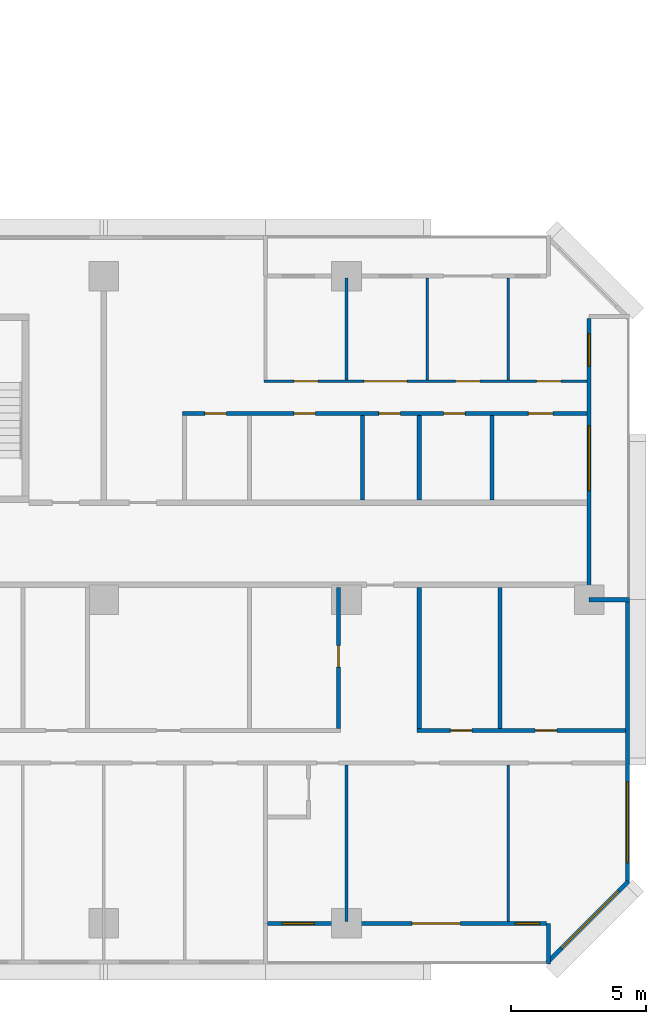
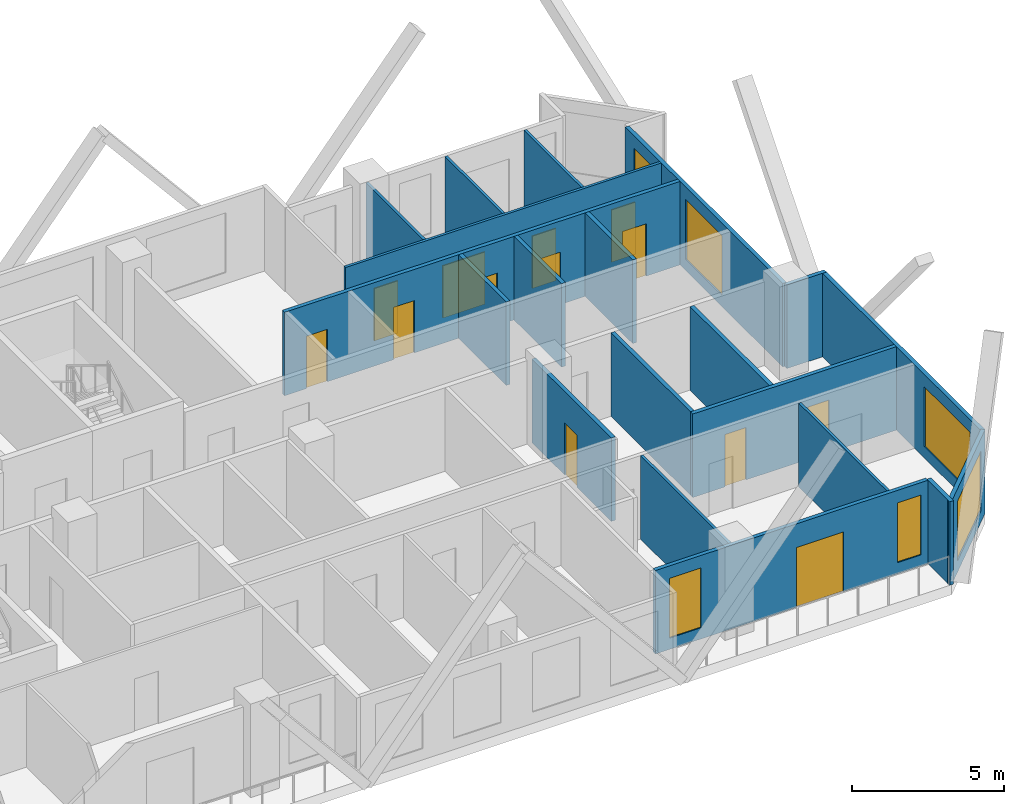
# One storey, part 12 of 16: 20 walls, 13 doors, 6 windows, 19 openings.
"""IFC4 building model written with IfcOpenShell, lengths in metres."""

from ifc_helpers import new_model, si_unit, direction, frame, frame_2d, origin, place, context, subcontext, project, spatial, rectangle, extrude, material, layer, layer_set, type_object, element, fill, save


model = new_model("IFC4")

# Units and contexts
model_context = context("Model", 3, precision=1e-05, world=origin(), true_north=direction((0.0, 1.0)))
body_context = subcontext(model_context, "Body", "Model", "MODEL_VIEW")
ifc_project = project(units=[si_unit("LENGTHUNIT", "METRE"), si_unit("AREAUNIT", "SQUARE_METRE"), si_unit("VOLUMEUNIT", "CUBIC_METRE"), si_unit("PLANEANGLEUNIT", "RADIAN"), si_unit("MASSUNIT", "GRAM", prefix="KILO")], contexts=[model_context])

# Site, building, storey
site_placement = place(None, origin())
site = spatial("IfcSite", under=ifc_project, at=site_placement, CompositionType="ELEMENT")
building_placement = place(site_placement, origin())
building = spatial("IfcBuilding", under=site, at=building_placement, Name="Chenar Terraces", CompositionType="ELEMENT")
storey_placement = place(building_placement, frame((0.0, 0.0, 71.39990234375)))
storey = spatial("IfcBuildingStorey", under=building, at=storey_placement, Name="L15", CompositionType="ELEMENT", Elevation=71.39990234375)

# Wall, opening, window
ifc_material_1 = material(Name="Aluminium framed glazing", Category="aluminium")
ifc_layer_1 = layer(ifc_material_1, 0.14990234375)
ifc_layer_set_1 = layer_set([ifc_layer_1], Name="Aluminium framed glazing")
wall_type_1 = type_object("IfcWallType", Name="Glazed flush facade wall 150", PredefinedType="SOLIDWALL", material=ifc_layer_set_1)
wall_1_placement = place(storey_placement, frame((73.425048828125, 1.5, 0.0), z_axis=(0.0, 0.0, 1.0), x_axis=(0.0, 1.0, 0.0)))
wall_1 = element("IfcWall", 1, at=wall_1_placement, inside=storey, type_object=wall_type_1, Name="Glazed flush facade wall", PredefinedType="SOLIDWALL", context=body_context, shape_type="SweptSolid", body=[
    extrude(rectangle(XDim=10.425048828125, YDim=0.14990234375, at=frame_2d((5.21240234375, 0.0))), origin(), (0.0, 0.0, 1.0), 3.35009765625),
])
opening_1_placement = place(wall_1_placement, frame((0.75, 0.0, 0.449951171875)))
opening_1 = element("IfcOpeningElement", 2, at=opening_1_placement, cuts=wall_1, Name="Opening W300x240", PredefinedType="OPENING", context=body_context, shape_type="SweptSolid", body=[
    extrude(rectangle(XDim=3.0, YDim=2.39990234375, at=frame_2d((1.5, 1.199951171875))), frame((0.0, 0.0849609375, 0.0), z_axis=(0.0, -1.0, 0.0), x_axis=(1.0, 0.0, 0.0)), (0.0, 0.0, 1.0), 0.169921875),
])
ifc_material_2 = material(Name="Low emissivity double glazing, aluminium frame", Category="aluminium")
window_type_1 = type_object("IfcWindowType", Name="Fixed light 3000 x 2400", PartitioningType="SINGLE_PANEL", PredefinedType="WINDOW", material=ifc_material_2)
window_1_placement = place(opening_1_placement, origin())
window_1 = element("IfcWindow", 3, at=window_1_placement, inside=storey, type_object=window_type_1, Name="Window", OverallHeight=2.39990234375, OverallWidth=3.0, PartitioningType="SINGLE_PANEL", PredefinedType="WINDOW", context=body_context, shape_type="SweptSolid", body=[
    extrude(rectangle(XDim=3.0, YDim=2.39990234375, at=frame_2d((1.5, 1.199951171875))), frame((0.0, 0.030029296875, 0.0), z_axis=(0.0, -1.0, 0.0), x_axis=(1.0, 0.0, 0.0)), (0.0, 0.0, 1.0), 0.06005859375),
])
fill(opening_1, window_1)

# Wall, openings, windows, door
ifc_material_3 = material(Name="Aluminium framed glazing", Category="aluminium")
ifc_layer_2 = layer(ifc_material_3, 0.14990234375)
ifc_layer_set_2 = layer_set([ifc_layer_2], Name="Aluminium framed glazing")
wall_type_2 = type_object("IfcWallType", Name="Glazed loggia back wall 150", PredefinedType="SOLIDWALL", material=ifc_layer_set_2)
wall_2_placement = place(storey_placement, frame((60.074951171875, 0.0, 0.0), z_axis=(0.0, 0.0, 1.0), x_axis=(1.0, 0.0, 0.0)))
wall_2 = element("IfcWall", 4, at=wall_2_placement, inside=storey, type_object=wall_type_2, Name="Glazed loggia back wall", PredefinedType="SOLIDWALL", context=body_context, shape_type="SweptSolid", body=[
    extrude(rectangle(XDim=10.35009765625, YDim=0.14990234375, at=frame_2d((5.175048828125, 0.0))), origin(), (0.0, 0.0, 1.0), 3.35009765625),
])
opening_2_placement = place(wall_2_placement, frame((0.53759765625, 0.0, 0.449951171875)))
opening_2 = element("IfcOpeningElement", 5, at=opening_2_placement, cuts=wall_2, Name="Opening W120x240", PredefinedType="OPENING", context=body_context, shape_type="SweptSolid", body=[
    extrude(rectangle(XDim=1.199951171875, YDim=2.39990234375, at=frame_2d((0.60009765625, 1.199951171875))), frame((0.0, 0.0849609375, 0.0), z_axis=(0.0, -1.0, 0.0), x_axis=(1.0, 0.0, 0.0)), (0.0, 0.0, 1.0), 0.169921875),
])
opening_3_placement = place(wall_2_placement, frame((5.35009765625, 0.0, 0.0)))
opening_3 = element("IfcOpeningElement", 6, at=opening_3_placement, cuts=wall_2, Name="Opening DL15-G7", PredefinedType="OPENING", context=body_context, shape_type="SweptSolid", body=[
    extrude(rectangle(XDim=1.800048828125, YDim=2.39990234375, at=frame_2d((0.89990234375, 1.199951171875))), frame((0.0, 0.0849609375, 0.0), z_axis=(0.0, -1.0, 0.0), x_axis=(1.0, 0.0, 0.0)), (0.0, 0.0, 1.0), 0.169921875),
])
opening_4_placement = place(wall_2_placement, frame((9.1875, 0.0, 0.449951171875)))
opening_4 = element("IfcOpeningElement", 7, at=opening_4_placement, cuts=wall_2, Name="Opening W90x240", PredefinedType="OPENING", context=body_context, shape_type="SweptSolid", body=[
    extrude(rectangle(XDim=0.89990234375, YDim=2.39990234375, at=frame_2d((0.449951171875, 1.199951171875))), frame((0.0, 0.0849609375, 0.0), z_axis=(0.0, -1.0, 0.0), x_axis=(1.0, 0.0, 0.0)), (0.0, 0.0, 1.0), 0.169921875),
])
ifc_material_4 = material(Name="Low emissivity double glazing, aluminium frame", Category="aluminium")
window_type_2 = type_object("IfcWindowType", Name="Fixed light 1200 x 2400", PartitioningType="SINGLE_PANEL", PredefinedType="WINDOW", material=ifc_material_4)
window_2_placement = place(opening_2_placement, origin())
window_2 = element("IfcWindow", 8, at=window_2_placement, inside=storey, type_object=window_type_2, Name="Window", OverallHeight=2.39990234375, OverallWidth=1.199951171875, PartitioningType="SINGLE_PANEL", PredefinedType="WINDOW", context=body_context, shape_type="SweptSolid", body=[
    extrude(rectangle(XDim=1.199951171875, YDim=2.39990234375, at=frame_2d((0.60009765625, 1.199951171875))), frame((0.0, 0.030029296875, 0.0), z_axis=(0.0, -1.0, 0.0), x_axis=(1.0, 0.0, 0.0)), (0.0, 0.0, 1.0), 0.06005859375),
])
fill(opening_2, window_2)
ifc_material_5 = material(Name="Low emissivity double glazing, aluminium frame", Category="aluminium")
window_type_3 = type_object("IfcWindowType", Name="Fixed light 900 x 2400", PartitioningType="SINGLE_PANEL", PredefinedType="WINDOW", material=ifc_material_5)
window_3_placement = place(opening_4_placement, origin())
window_3 = element("IfcWindow", 9, at=window_3_placement, inside=storey, type_object=window_type_3, Name="Window", OverallHeight=2.39990234375, OverallWidth=0.89990234375, PartitioningType="SINGLE_PANEL", PredefinedType="WINDOW", context=body_context, shape_type="SweptSolid", body=[
    extrude(rectangle(XDim=0.89990234375, YDim=2.39990234375, at=frame_2d((0.449951171875, 1.199951171875))), frame((0.0, 0.030029296875, 0.0), z_axis=(0.0, -1.0, 0.0), x_axis=(1.0, 0.0, 0.0)), (0.0, 0.0, 1.0), 0.06005859375),
])
fill(opening_4, window_3)
ifc_material_6 = material(Name="Low emissivity double glazing, aluminium frame", Category="aluminium")
door_type_1 = type_object("IfcDoorType", Name="Loggia glazed double door 1800 x 2400", OperationType="DOUBLE_DOOR_SINGLE_SWING", PredefinedType="DOOR", material=ifc_material_6)
door_1_placement = place(opening_3_placement, frame((1.800048828125, 0.0, 0.0), z_axis=(0.0, 0.0, 1.0), x_axis=(-1.0, 0.0, 0.0)))
door_1 = element("IfcDoor", 10, at=door_1_placement, inside=storey, type_object=door_type_1, Name="Loggia glazed door", OperationType="DOUBLE_DOOR_SINGLE_SWING", OverallHeight=2.39990234375, OverallWidth=1.800048828125, PredefinedType="DOOR", context=body_context, shape_type="SweptSolid", body=[
    extrude(rectangle(XDim=1.800048828125, YDim=2.39990234375, at=frame_2d((0.89990234375, 1.199951171875))), frame((0.0, 0.02490234375, 0.0), z_axis=(0.0, -1.0, 0.0), x_axis=(1.0, 0.0, 0.0)), (0.0, 0.0, 1.0), 0.050048828125),
])
fill(opening_3, door_1)

# Wall, openings, windows
wall_3_placement = place(storey_placement, frame((72.0, 12.074951171875, 0.0), z_axis=(0.0, 0.0, 1.0), x_axis=(0.0, 1.0, 0.0)))
wall_3 = element("IfcWall", 11, at=wall_3_placement, inside=storey, type_object=wall_type_2, Name="Glazed loggia back wall", PredefinedType="SOLIDWALL", context=body_context, shape_type="SweptSolid", body=[
    extrude(rectangle(XDim=10.35009765625, YDim=0.14990234375, at=frame_2d((5.175048828125, 0.0))), origin(), (0.0, 0.0, 1.0), 3.35009765625),
])
opening_5_placement = place(wall_3_placement, frame((3.97509765625, 0.0, 0.449951171875)))
opening_5 = element("IfcOpeningElement", 12, at=opening_5_placement, cuts=wall_3, Name="Opening W240x240", PredefinedType="OPENING", context=body_context, shape_type="SweptSolid", body=[
    extrude(rectangle(XDim=2.39990234375, YDim=2.39990234375, at=frame_2d((1.199951171875, 1.199951171875))), frame((0.0, 0.0849609375, 0.0), z_axis=(0.0, -1.0, 0.0), x_axis=(1.0, 0.0, 0.0)), (0.0, 0.0, 1.0), 0.169921875),
])
opening_6_placement = place(wall_3_placement, frame((8.58740234375, 0.0, 0.449951171875)))
opening_6 = element("IfcOpeningElement", 13, at=opening_6_placement, cuts=wall_3, Name="Opening W120x240", PredefinedType="OPENING", context=body_context, shape_type="SweptSolid", body=[
    extrude(rectangle(XDim=1.199951171875, YDim=2.39990234375, at=frame_2d((0.60009765625, 1.199951171875))), frame((0.0, 0.0849609375, 0.0), z_axis=(0.0, -1.0, 0.0), x_axis=(1.0, 0.0, 0.0)), (0.0, 0.0, 1.0), 0.169921875),
])
window_4_placement = place(opening_6_placement, origin())
window_4 = element("IfcWindow", 14, at=window_4_placement, inside=storey, type_object=window_type_2, Name="Window", OverallHeight=2.39990234375, OverallWidth=1.199951171875, PartitioningType="SINGLE_PANEL", PredefinedType="WINDOW", context=body_context, shape_type="SweptSolid", body=[
    extrude(rectangle(XDim=1.199951171875, YDim=2.39990234375, at=frame_2d((0.60009765625, 1.199951171875))), frame((0.0, 0.030029296875, 0.0), z_axis=(0.0, -1.0, 0.0), x_axis=(1.0, 0.0, 0.0)), (0.0, 0.0, 1.0), 0.06005859375),
])
fill(opening_6, window_4)
ifc_material_7 = material(Name="Low emissivity double glazing, aluminium frame", Category="aluminium")
window_type_4 = type_object("IfcWindowType", Name="Fixed light 2400 x 2400", PartitioningType="SINGLE_PANEL", PredefinedType="WINDOW", material=ifc_material_7)
window_5_placement = place(opening_5_placement, origin())
window_5 = element("IfcWindow", 15, at=window_5_placement, inside=storey, type_object=window_type_4, Name="Window", OverallHeight=2.39990234375, OverallWidth=2.39990234375, PartitioningType="SINGLE_PANEL", PredefinedType="WINDOW", context=body_context, shape_type="SweptSolid", body=[
    extrude(rectangle(XDim=2.39990234375, YDim=2.39990234375, at=frame_2d((1.199951171875, 1.199951171875))), frame((0.0, 0.030029296875, 0.0), z_axis=(0.0, -1.0, 0.0), x_axis=(1.0, 0.0, 0.0)), (0.0, 0.0, 1.0), 0.06005859375),
])
fill(opening_5, window_5)

# Wall, openings, doors
ifc_material_8 = material(Name="Gypsum board on steel studs", Category="steel")
ifc_layer_3 = layer(ifc_material_8, 0.10009765625)
ifc_layer_set_3 = layer_set([ifc_layer_3], Name="Gypsum board on steel studs")
wall_type_3 = type_object("IfcWallType", Name="Gypsum partition 100", PredefinedType="PARTITIONING", material=ifc_layer_set_3)
wall_4_placement = place(storey_placement, frame((59.949951171875, 20.10009765625, 0.0), z_axis=(0.0, 0.0, 1.0), x_axis=(1.0, 0.0, 0.0)))
wall_4 = element("IfcWall", 16, at=wall_4_placement, inside=storey, type_object=wall_type_3, Name="Partition L15-088", PredefinedType="PARTITIONING", context=body_context, shape_type="SweptSolid", body=[
    extrude(rectangle(XDim=11.97607421875, YDim=0.10009765625, at=frame_2d((5.988037109375, 0.0))), origin(), (0.0, 0.0, 1.0), 3.35009765625),
])
opening_7_placement = place(wall_4_placement, frame((1.10009765625, 0.0, 0.0)))
opening_7 = element("IfcOpeningElement", 17, at=opening_7_placement, cuts=wall_4, Name="Opening DL15-5", PredefinedType="OPENING", context=body_context, shape_type="SweptSolid", body=[
    extrude(rectangle(XDim=0.89990234375, YDim=2.10009765625, at=frame_2d((0.449951171875, 1.050048828125))), frame((0.0, 0.06005859375, 0.0), z_axis=(0.0, -1.0, 0.0), x_axis=(1.0, 0.0, 0.0)), (0.0, 0.0, 1.0), 0.1201171875),
])
opening_8_placement = place(wall_4_placement, frame((7.10009765625, 0.0, 0.0)))
opening_8 = element("IfcOpeningElement", 18, at=opening_8_placement, cuts=wall_4, Name="Opening DL15-6", PredefinedType="OPENING", context=body_context, shape_type="SweptSolid", body=[
    extrude(rectangle(XDim=0.89990234375, YDim=2.10009765625, at=frame_2d((0.449951171875, 1.050048828125))), frame((0.0, 0.06005859375, 0.0), z_axis=(0.0, -1.0, 0.0), x_axis=(1.0, 0.0, 0.0)), (0.0, 0.0, 1.0), 0.1201171875),
])
opening_9_placement = place(wall_4_placement, frame((10.10009765625, 0.0, 0.0)))
opening_9 = element("IfcOpeningElement", 19, at=opening_9_placement, cuts=wall_4, Name="Opening DL15-7", PredefinedType="OPENING", context=body_context, shape_type="SweptSolid", body=[
    extrude(rectangle(XDim=0.89990234375, YDim=2.10009765625, at=frame_2d((0.449951171875, 1.050048828125))), frame((0.0, 0.06005859375, 0.0), z_axis=(0.0, -1.0, 0.0), x_axis=(1.0, 0.0, 0.0)), (0.0, 0.0, 1.0), 0.1201171875),
])
opening_10_placement = place(wall_4_placement, frame((3.699951171875, 0.0, 0.0)))
opening_10 = element("IfcOpeningElement", 20, at=opening_10_placement, cuts=wall_4, Name="Opening DL15-11", PredefinedType="OPENING", context=body_context, shape_type="SweptSolid", body=[
    extrude(rectangle(XDim=1.60009765625, YDim=2.10009765625, at=frame_2d((0.800048828125, 1.050048828125))), frame((0.0, 0.06005859375, 0.0), z_axis=(0.0, -1.0, 0.0), x_axis=(1.0, 0.0, 0.0)), (0.0, 0.0, 1.0), 0.1201171875),
])
ifc_material_9 = material(Name="Veneered timber door leaf", Category="wood")
door_type_2 = type_object("IfcDoorType", Name="Door 900 x 2100", OperationType="SINGLE_SWING_LEFT", PredefinedType="DOOR", material=ifc_material_9)
door_2_placement = place(opening_7_placement, origin())
door_2 = element("IfcDoor", 21, at=door_2_placement, inside=storey, type_object=door_type_2, Name="Door DL15-5", OperationType="SINGLE_SWING_LEFT", OverallHeight=2.10009765625, OverallWidth=0.89990234375, PredefinedType="DOOR", context=body_context, shape_type="SweptSolid", body=[
    extrude(rectangle(XDim=0.89990234375, YDim=2.10009765625, at=frame_2d((0.449951171875, 1.050048828125))), frame((0.0, 0.02490234375, 0.0), z_axis=(0.0, -1.0, 0.0), x_axis=(1.0, 0.0, 0.0)), (0.0, 0.0, 1.0), 0.050048828125),
])
fill(opening_7, door_2)
door_3_placement = place(opening_8_placement, origin())
door_3 = element("IfcDoor", 22, at=door_3_placement, inside=storey, type_object=door_type_2, Name="Door DL15-6", OperationType="SINGLE_SWING_LEFT", OverallHeight=2.10009765625, OverallWidth=0.89990234375, PredefinedType="DOOR", context=body_context, shape_type="SweptSolid", body=[
    extrude(rectangle(XDim=0.89990234375, YDim=2.10009765625, at=frame_2d((0.449951171875, 1.050048828125))), frame((0.0, 0.02490234375, 0.0), z_axis=(0.0, -1.0, 0.0), x_axis=(1.0, 0.0, 0.0)), (0.0, 0.0, 1.0), 0.050048828125),
])
fill(opening_8, door_3)
door_4_placement = place(opening_9_placement, origin())
door_4 = element("IfcDoor", 23, at=door_4_placement, inside=storey, type_object=door_type_2, Name="Door DL15-7", OperationType="SINGLE_SWING_LEFT", OverallHeight=2.10009765625, OverallWidth=0.89990234375, PredefinedType="DOOR", context=body_context, shape_type="SweptSolid", body=[
    extrude(rectangle(XDim=0.89990234375, YDim=2.10009765625, at=frame_2d((0.449951171875, 1.050048828125))), frame((0.0, 0.02490234375, 0.0), z_axis=(0.0, -1.0, 0.0), x_axis=(1.0, 0.0, 0.0)), (0.0, 0.0, 1.0), 0.050048828125),
])
fill(opening_9, door_4)
ifc_material_10 = material(Name="Veneered timber door leaf", Category="wood")
door_type_3 = type_object("IfcDoorType", Name="Double door 1600 x 2100", OperationType="DOUBLE_DOOR_SINGLE_SWING", PredefinedType="DOOR", material=ifc_material_10)
door_5_placement = place(opening_10_placement, origin())
door_5 = element("IfcDoor", 24, at=door_5_placement, inside=storey, type_object=door_type_3, Name="Door DL15-11", OperationType="DOUBLE_DOOR_SINGLE_SWING", OverallHeight=2.10009765625, OverallWidth=1.60009765625, PredefinedType="DOOR", context=body_context, shape_type="SweptSolid", body=[
    extrude(rectangle(XDim=1.60009765625, YDim=2.10009765625, at=frame_2d((0.800048828125, 1.050048828125))), frame((0.0, 0.02490234375, 0.0), z_axis=(0.0, -1.0, 0.0), x_axis=(1.0, 0.0, 0.0)), (0.0, 0.0, 1.0), 0.050048828125),
])
fill(opening_10, door_5)

# Walls
wall_5_placement = place(storey_placement, frame((63.0, 0.073974609375, 0.0), z_axis=(0.0, 0.0, 1.0), x_axis=(0.0, 1.0, 0.0)))
element("IfcWall", 25, at=wall_5_placement, inside=storey, type_object=wall_type_3, Name="Partition L15-094", PredefinedType="PARTITIONING", context=body_context, shape_type="SweptSolid", body=[
    extrude(rectangle(XDim=5.801025390625, YDim=0.10009765625, at=frame_2d((2.900390625, 0.0))), origin(), (0.0, 0.0, 1.0), 3.35009765625),
])
for number, where, z_axis, x_axis, name in (
    (26, (63.0, 20.14990234375, 0.0), (0.0, 0.0, 1.0), (0.0, 1.0, 0.0), "Partition L15-095"),
    (27, (66.0, 20.14990234375, 0.0), (0.0, 0.0, 1.0), (0.0, 1.0, 0.0), "Partition L15-100"),
):
    element("IfcWall", number, at=place(storey_placement, frame(where, z_axis=z_axis, x_axis=x_axis)), inside=storey, type_object=wall_type_3, Name=name, PredefinedType="PARTITIONING", context=body_context, shape_type="SweptSolid", body=[
        extrude(rectangle(XDim=3.776123046875, YDim=0.10009765625, at=frame_2d((1.88818359375, 0.0))), origin(), (0.0, 0.0, 1.0), 3.35009765625),
    ])
wall_6_placement = place(storey_placement, frame((69.0, 0.073974609375, 0.0), z_axis=(0.0, 0.0, 1.0), x_axis=(0.0, 1.0, 0.0)))
element("IfcWall", 28, at=wall_6_placement, inside=storey, type_object=wall_type_3, Name="Partition L15-103", PredefinedType="PARTITIONING", context=body_context, shape_type="SweptSolid", body=[
    extrude(rectangle(XDim=5.801025390625, YDim=0.10009765625, at=frame_2d((2.900390625, 0.0))), origin(), (0.0, 0.0, 1.0), 3.35009765625),
])
wall_7_placement = place(storey_placement, frame((69.0, 20.14990234375, 0.0), z_axis=(0.0, 0.0, 1.0), x_axis=(0.0, 1.0, 0.0)))
element("IfcWall", 29, at=wall_7_placement, inside=storey, type_object=wall_type_3, Name="Partition L15-104", PredefinedType="PARTITIONING", context=body_context, shape_type="SweptSolid", body=[
    extrude(rectangle(XDim=3.776123046875, YDim=0.10009765625, at=frame_2d((1.88818359375, 0.0))), origin(), (0.0, 0.0, 1.0), 3.35009765625),
])
ifc_material_11 = material(Name="Terracotta cladding on insulated backing", Category="masonry")
ifc_layer_4 = layer(ifc_material_11, 0.14990234375)
ifc_layer_set_4 = layer_set([ifc_layer_4], Name="Terracotta cladding on insulated backing")
wall_type_4 = type_object("IfcWallType", Name="Loggia return wall 150", PredefinedType="SOLIDWALL", material=ifc_layer_set_4)
for number, where, z_axis, x_axis, name in (
    (30, (70.5, -1.5, 0.0), (0.0, 0.0, 1.0), (0.0, 1.0, 0.0), "Loggia return wall"),
    (31, (73.5, 12.0, 0.0), (0.0, 0.0, 1.0), (-1.0, 0.0, 0.0), "Loggia return wall"),
):
    element("IfcWall", number, at=place(storey_placement, frame(where, z_axis=z_axis, x_axis=x_axis)), inside=storey, type_object=wall_type_4, Name=name, PredefinedType="SOLIDWALL", context=body_context, shape_type="SweptSolid", body=[
        extrude(rectangle(XDim=1.5, YDim=0.14990234375, at=frame_2d((0.75, 0.0))), origin(), (0.0, 0.0, 1.0), 3.35009765625),
    ])

# Wall, opening, window
ifc_material_12 = material(Name="Terracotta cladding on insulated backing", Category="masonry")
ifc_layer_5 = layer(ifc_material_12, 0.14990234375)
ifc_layer_set_5 = layer_set([ifc_layer_5], Name="Terracotta cladding on insulated backing")
wall_type_5 = type_object("IfcWallType", Name="Terracotta rainscreen wall 150", PredefinedType="SOLIDWALL", material=ifc_layer_set_5)
wall_8_placement = place(storey_placement, frame((70.447021484375, -1.447021484375, 0.0), z_axis=(0.0, 0.0, 1.0), x_axis=(0.707106781187, 0.707106781187, 0.0)))
wall_8 = element("IfcWall", 32, at=wall_8_placement, inside=storey, type_object=wall_type_5, Name="Terracotta rainscreen wall", PredefinedType="SOLIDWALL", context=body_context, shape_type="SweptSolid", body=[
    extrude(rectangle(XDim=4.24267578125, YDim=0.14990234375, at=frame_2d((2.121337890625, 0.0))), origin(), (0.0, 0.0, 1.0), 3.35009765625),
])
opening_11_placement = place(wall_8_placement, frame((0.744384765625, 0.0, 0.449951171875)))
opening_11 = element("IfcOpeningElement", 33, at=opening_11_placement, cuts=wall_8, Name="Opening W300x240", PredefinedType="OPENING", context=body_context, shape_type="SweptSolid", body=[
    extrude(rectangle(XDim=3.0, YDim=2.39990234375, at=frame_2d((1.5, 1.199951171875))), frame((0.0, 0.0849609375, 0.0), z_axis=(0.0, -1.0, 0.0), x_axis=(1.0, 0.0, 0.0)), (0.0, 0.0, 1.0), 0.169921875),
])
window_6_placement = place(opening_11_placement, origin())
window_6 = element("IfcWindow", 34, at=window_6_placement, inside=storey, type_object=window_type_1, Name="Window", OverallHeight=2.39990234375, OverallWidth=3.0, PartitioningType="SINGLE_PANEL", PredefinedType="WINDOW", context=body_context, shape_type="SweptSolid", body=[
    extrude(rectangle(XDim=3.0, YDim=2.39990234375, at=frame_2d((1.5, 1.199951171875))), frame((0.0, 0.030029296875, 0.0), z_axis=(0.0, -1.0, 0.0), x_axis=(1.0, 0.0, 0.0)), (0.0, 0.0, 1.0), 0.06005859375),
])
fill(opening_11, window_6)

# Wall, openings, doors
ifc_material_13 = material(Name="Moisture-resistant gypsum board on steel studs", Category="steel")
ifc_layer_6 = layer(ifc_material_13, 0.14990234375)
ifc_layer_set_6 = layer_set([ifc_layer_6], Name="Moisture-resistant gypsum board on steel studs")
wall_type_6 = type_object("IfcWallType", Name="Wet-room partition 150", PredefinedType="PARTITIONING", material=ifc_layer_set_6)
wall_9_placement = place(storey_placement, frame((56.925048828125, 18.89990234375, 0.0), z_axis=(0.0, 0.0, 1.0), x_axis=(1.0, 0.0, 0.0)))
wall_9 = element("IfcWall", 35, at=wall_9_placement, inside=storey, type_object=wall_type_6, Name="Partition L15-083", PredefinedType="PARTITIONING", context=body_context, shape_type="SweptSolid", body=[
    extrude(rectangle(XDim=15.0009765625, YDim=0.14990234375, at=frame_2d((7.50048828125, 0.0))), origin(), (0.0, 0.0, 1.0), 3.35009765625),
])
opening_12_placement = place(wall_9_placement, frame((4.125, 0.0, 0.0)))
opening_12 = element("IfcOpeningElement", 36, at=opening_12_placement, cuts=wall_9, Name="Opening DL15-4", PredefinedType="OPENING", context=body_context, shape_type="SweptSolid", body=[
    extrude(rectangle(XDim=0.800048828125, YDim=2.10009765625, at=frame_2d((0.39990234375, 1.050048828125))), frame((0.0, 0.0849609375, 0.0), z_axis=(0.0, -1.0, 0.0), x_axis=(1.0, 0.0, 0.0)), (0.0, 0.0, 1.0), 0.169921875),
])
opening_13_placement = place(wall_9_placement, frame((12.824951171875, 0.0, 0.0)))
opening_13 = element("IfcOpeningElement", 37, at=opening_13_placement, cuts=wall_9, Name="Opening DL15-8", PredefinedType="OPENING", context=body_context, shape_type="SweptSolid", body=[
    extrude(rectangle(XDim=0.89990234375, YDim=2.10009765625, at=frame_2d((0.449951171875, 1.050048828125))), frame((0.0, 0.0849609375, 0.0), z_axis=(0.0, -1.0, 0.0), x_axis=(1.0, 0.0, 0.0)), (0.0, 0.0, 1.0), 0.169921875),
])
opening_14_placement = place(wall_9_placement, frame((9.675048828125, 0.0, 0.0)))
opening_14 = element("IfcOpeningElement", 38, at=opening_14_placement, cuts=wall_9, Name="Opening DL15-9", PredefinedType="OPENING", context=body_context, shape_type="SweptSolid", body=[
    extrude(rectangle(XDim=0.800048828125, YDim=2.10009765625, at=frame_2d((0.39990234375, 1.050048828125))), frame((0.0, 0.0849609375, 0.0), z_axis=(0.0, -1.0, 0.0), x_axis=(1.0, 0.0, 0.0)), (0.0, 0.0, 1.0), 0.169921875),
])
opening_15_placement = place(wall_9_placement, frame((0.824951171875, 0.0, 0.0)))
opening_15 = element("IfcOpeningElement", 39, at=opening_15_placement, cuts=wall_9, Name="Opening DL15-12", PredefinedType="OPENING", context=body_context, shape_type="SweptSolid", body=[
    extrude(rectangle(XDim=0.800048828125, YDim=2.10009765625, at=frame_2d((0.39990234375, 1.050048828125))), frame((0.0, 0.0849609375, 0.0), z_axis=(0.0, -1.0, 0.0), x_axis=(1.0, 0.0, 0.0)), (0.0, 0.0, 1.0), 0.169921875),
])
opening_16_placement = place(wall_9_placement, frame((7.27490234375, 0.0, 0.0)))
opening_16 = element("IfcOpeningElement", 40, at=opening_16_placement, cuts=wall_9, Name="Opening DL15-13", PredefinedType="OPENING", context=body_context, shape_type="SweptSolid", body=[
    extrude(rectangle(XDim=0.800048828125, YDim=2.10009765625, at=frame_2d((0.39990234375, 1.050048828125))), frame((0.0, 0.0849609375, 0.0), z_axis=(0.0, -1.0, 0.0), x_axis=(1.0, 0.0, 0.0)), (0.0, 0.0, 1.0), 0.169921875),
])
ifc_material_14 = material(Name="Veneered timber door leaf", Category="wood")
door_type_4 = type_object("IfcDoorType", Name="Door 800 x 2100", OperationType="SINGLE_SWING_LEFT", PredefinedType="DOOR", material=ifc_material_14)
door_6_placement = place(opening_12_placement, frame((0.800048828125, 0.0, 0.0), z_axis=(0.0, 0.0, 1.0), x_axis=(-1.0, 0.0, 0.0)))
door_6 = element("IfcDoor", 41, at=door_6_placement, inside=storey, type_object=door_type_4, Name="Door DL15-4", OperationType="SINGLE_SWING_RIGHT", OverallHeight=2.10009765625, OverallWidth=0.800048828125, PredefinedType="DOOR", context=body_context, shape_type="SweptSolid", body=[
    extrude(rectangle(XDim=0.800048828125, YDim=2.10009765625, at=frame_2d((0.39990234375, 1.050048828125))), frame((0.0, 0.02490234375, 0.0), z_axis=(0.0, -1.0, 0.0), x_axis=(1.0, 0.0, 0.0)), (0.0, 0.0, 1.0), 0.050048828125),
])
fill(opening_12, door_6)
door_7_placement = place(opening_14_placement, frame((0.800048828125, 0.0, 0.0), z_axis=(0.0, 0.0, 1.0), x_axis=(-1.0, 0.0, 0.0)))
door_7 = element("IfcDoor", 42, at=door_7_placement, inside=storey, type_object=door_type_4, Name="Door DL15-9", OperationType="SINGLE_SWING_RIGHT", OverallHeight=2.10009765625, OverallWidth=0.800048828125, PredefinedType="DOOR", context=body_context, shape_type="SweptSolid", body=[
    extrude(rectangle(XDim=0.800048828125, YDim=2.10009765625, at=frame_2d((0.39990234375, 1.050048828125))), frame((0.0, 0.02490234375, 0.0), z_axis=(0.0, -1.0, 0.0), x_axis=(1.0, 0.0, 0.0)), (0.0, 0.0, 1.0), 0.050048828125),
])
fill(opening_14, door_7)
door_8_placement = place(opening_15_placement, frame((0.800048828125, 0.0, 0.0), z_axis=(0.0, 0.0, 1.0), x_axis=(-1.0, 0.0, 0.0)))
door_8 = element("IfcDoor", 43, at=door_8_placement, inside=storey, type_object=door_type_4, Name="Door DL15-12", OperationType="SINGLE_SWING_RIGHT", OverallHeight=2.10009765625, OverallWidth=0.800048828125, PredefinedType="DOOR", context=body_context, shape_type="SweptSolid", body=[
    extrude(rectangle(XDim=0.800048828125, YDim=2.10009765625, at=frame_2d((0.39990234375, 1.050048828125))), frame((0.0, 0.02490234375, 0.0), z_axis=(0.0, -1.0, 0.0), x_axis=(1.0, 0.0, 0.0)), (0.0, 0.0, 1.0), 0.050048828125),
])
fill(opening_15, door_8)
door_9_placement = place(opening_16_placement, frame((0.800048828125, 0.0, 0.0), z_axis=(0.0, 0.0, 1.0), x_axis=(-1.0, 0.0, 0.0)))
door_9 = element("IfcDoor", 44, at=door_9_placement, inside=storey, type_object=door_type_4, Name="Door DL15-13", OperationType="SINGLE_SWING_RIGHT", OverallHeight=2.10009765625, OverallWidth=0.800048828125, PredefinedType="DOOR", context=body_context, shape_type="SweptSolid", body=[
    extrude(rectangle(XDim=0.800048828125, YDim=2.10009765625, at=frame_2d((0.39990234375, 1.050048828125))), frame((0.0, 0.02490234375, 0.0), z_axis=(0.0, -1.0, 0.0), x_axis=(1.0, 0.0, 0.0)), (0.0, 0.0, 1.0), 0.050048828125),
])
fill(opening_16, door_9)
door_10_placement = place(opening_13_placement, frame((0.89990234375, 0.0, 0.0), z_axis=(0.0, 0.0, 1.0), x_axis=(-1.0, 0.0, 0.0)))
door_10 = element("IfcDoor", 45, at=door_10_placement, inside=storey, type_object=door_type_2, Name="Door DL15-8", OperationType="SINGLE_SWING_LEFT", OverallHeight=2.10009765625, OverallWidth=0.89990234375, PredefinedType="DOOR", context=body_context, shape_type="SweptSolid", body=[
    extrude(rectangle(XDim=0.89990234375, YDim=2.10009765625, at=frame_2d((0.449951171875, 1.050048828125))), frame((0.0, 0.02490234375, 0.0), z_axis=(0.0, -1.0, 0.0), x_axis=(1.0, 0.0, 0.0)), (0.0, 0.0, 1.0), 0.050048828125),
])
fill(opening_13, door_10)

# Wall, opening, door
wall_10_placement = place(storey_placement, frame((62.699951171875, 7.22509765625, 0.0), z_axis=(0.0, 0.0, 1.0), x_axis=(0.0, 1.0, 0.0)))
wall_10 = element("IfcWall", 46, at=wall_10_placement, inside=storey, type_object=wall_type_6, Name="Partition L15-093", PredefinedType="PARTITIONING", context=body_context, shape_type="SweptSolid", body=[
    extrude(rectangle(XDim=5.224853515625, YDim=0.14990234375, at=frame_2d((2.6123046875, 0.0))), origin(), (0.0, 0.0, 1.0), 3.35009765625),
])
opening_17_placement = place(wall_10_placement, frame((2.27490234375, 0.0, 0.0)))
opening_17 = element("IfcOpeningElement", 47, at=opening_17_placement, cuts=wall_10, Name="Opening DL15-22", PredefinedType="OPENING", context=body_context, shape_type="SweptSolid", body=[
    extrude(rectangle(XDim=0.800048828125, YDim=2.10009765625, at=frame_2d((0.39990234375, 1.050048828125))), frame((0.0, 0.0849609375, 0.0), z_axis=(0.0, -1.0, 0.0), x_axis=(1.0, 0.0, 0.0)), (0.0, 0.0, 1.0), 0.169921875),
])
door_11_placement = place(opening_17_placement, origin())
door_11 = element("IfcDoor", 48, at=door_11_placement, inside=storey, type_object=door_type_4, Name="Door DL15-22", OperationType="SINGLE_SWING_RIGHT", OverallHeight=2.10009765625, OverallWidth=0.800048828125, PredefinedType="DOOR", context=body_context, shape_type="SweptSolid", body=[
    extrude(rectangle(XDim=0.800048828125, YDim=2.10009765625, at=frame_2d((0.39990234375, 1.050048828125))), frame((0.0, 0.02490234375, 0.0), z_axis=(0.0, -1.0, 0.0), x_axis=(1.0, 0.0, 0.0)), (0.0, 0.0, 1.0), 0.050048828125),
])
fill(opening_17, door_11)

# Wall
wall_11_placement = place(storey_placement, frame((63.60009765625, 15.699951171875, 0.0), z_axis=(0.0, 0.0, 1.0), x_axis=(0.0, 1.0, 0.0)))
element("IfcWall", 49, at=wall_11_placement, inside=storey, type_object=wall_type_6, Name="Partition L15-096", PredefinedType="PARTITIONING", context=body_context, shape_type="SweptSolid", body=[
    extrude(rectangle(XDim=3.125, YDim=0.14990234375, at=frame_2d((1.5625, 0.0))), origin(), (0.0, 0.0, 1.0), 3.35009765625),
])

# Wall, openings, doors
wall_12_placement = place(storey_placement, frame((65.625, 7.14990234375, 0.0), z_axis=(0.0, 0.0, 1.0), x_axis=(1.0, 0.0, 0.0)))
wall_12 = element("IfcWall", 50, at=wall_12_placement, inside=storey, type_object=wall_type_6, Name="Partition L15-097", PredefinedType="PARTITIONING", context=body_context, shape_type="SweptSolid", body=[
    extrude(rectangle(XDim=7.72509765625, YDim=0.14990234375, at=frame_2d((3.862548828125, 0.0))), origin(), (0.0, 0.0, 1.0), 3.35009765625),
])
opening_18_placement = place(wall_12_placement, frame((4.375, 0.0, 0.0)))
opening_18 = element("IfcOpeningElement", 51, at=opening_18_placement, cuts=wall_12, Name="Opening DL15-23", PredefinedType="OPENING", context=body_context, shape_type="SweptSolid", body=[
    extrude(rectangle(XDim=0.800048828125, YDim=2.10009765625, at=frame_2d((0.39990234375, 1.050048828125))), frame((0.0, 0.0849609375, 0.0), z_axis=(0.0, -1.0, 0.0), x_axis=(1.0, 0.0, 0.0)), (0.0, 0.0, 1.0), 0.169921875),
])
opening_19_placement = place(wall_12_placement, frame((1.22509765625, 0.0, 0.0)))
opening_19 = element("IfcOpeningElement", 52, at=opening_19_placement, cuts=wall_12, Name="Opening DL15-28", PredefinedType="OPENING", context=body_context, shape_type="SweptSolid", body=[
    extrude(rectangle(XDim=0.800048828125, YDim=2.10009765625, at=frame_2d((0.39990234375, 1.050048828125))), frame((0.0, 0.0849609375, 0.0), z_axis=(0.0, -1.0, 0.0), x_axis=(1.0, 0.0, 0.0)), (0.0, 0.0, 1.0), 0.169921875),
])
door_12_placement = place(opening_18_placement, origin())
door_12 = element("IfcDoor", 53, at=door_12_placement, inside=storey, type_object=door_type_4, Name="Door DL15-23", OperationType="SINGLE_SWING_LEFT", OverallHeight=2.10009765625, OverallWidth=0.800048828125, PredefinedType="DOOR", context=body_context, shape_type="SweptSolid", body=[
    extrude(rectangle(XDim=0.800048828125, YDim=2.10009765625, at=frame_2d((0.39990234375, 1.050048828125))), frame((0.0, 0.02490234375, 0.0), z_axis=(0.0, -1.0, 0.0), x_axis=(1.0, 0.0, 0.0)), (0.0, 0.0, 1.0), 0.050048828125),
])
fill(opening_18, door_12)
door_13_placement = place(opening_19_placement, origin())
door_13 = element("IfcDoor", 54, at=door_13_placement, inside=storey, type_object=door_type_4, Name="Door DL15-28", OperationType="SINGLE_SWING_RIGHT", OverallHeight=2.10009765625, OverallWidth=0.800048828125, PredefinedType="DOOR", context=body_context, shape_type="SweptSolid", body=[
    extrude(rectangle(XDim=0.800048828125, YDim=2.10009765625, at=frame_2d((0.39990234375, 1.050048828125))), frame((0.0, 0.02490234375, 0.0), z_axis=(0.0, -1.0, 0.0), x_axis=(1.0, 0.0, 0.0)), (0.0, 0.0, 1.0), 0.050048828125),
])
fill(opening_19, door_13)

# Walls
wall_13_placement = place(storey_placement, frame((65.699951171875, 7.22509765625, 0.0), z_axis=(0.0, 0.0, 1.0), x_axis=(0.0, 1.0, 0.0)))
element("IfcWall", 55, at=wall_13_placement, inside=storey, type_object=wall_type_6, Name="Partition L15-098", PredefinedType="PARTITIONING", context=body_context, shape_type="SweptSolid", body=[
    extrude(rectangle(XDim=5.224853515625, YDim=0.14990234375, at=frame_2d((2.6123046875, 0.0))), origin(), (0.0, 0.0, 1.0), 3.35009765625),
])
for number, where, z_axis, x_axis, name in (
    (56, (65.699951171875, 15.699951171875, 0.0), (0.0, 0.0, 1.0), (0.0, 1.0, 0.0), "Partition L15-099"),
    (57, (68.39990234375, 15.699951171875, 0.0), (0.0, 0.0, 1.0), (0.0, 1.0, 0.0), "Partition L15-101"),
):
    element("IfcWall", number, at=place(storey_placement, frame(where, z_axis=z_axis, x_axis=x_axis)), inside=storey, type_object=wall_type_6, Name=name, PredefinedType="PARTITIONING", context=body_context, shape_type="SweptSolid", body=[
        extrude(rectangle(XDim=3.125, YDim=0.14990234375, at=frame_2d((1.5625, 0.0))), origin(), (0.0, 0.0, 1.0), 3.35009765625),
    ])
wall_14_placement = place(storey_placement, frame((68.699951171875, 7.22509765625, 0.0), z_axis=(0.0, 0.0, 1.0), x_axis=(0.0, 1.0, 0.0)))
element("IfcWall", 58, at=wall_14_placement, inside=storey, type_object=wall_type_6, Name="Partition L15-102", PredefinedType="PARTITIONING", context=body_context, shape_type="SweptSolid", body=[
    extrude(rectangle(XDim=5.224853515625, YDim=0.14990234375, at=frame_2d((2.6123046875, 0.0))), origin(), (0.0, 0.0, 1.0), 3.35009765625),
])

save(model, "model.ifc")
